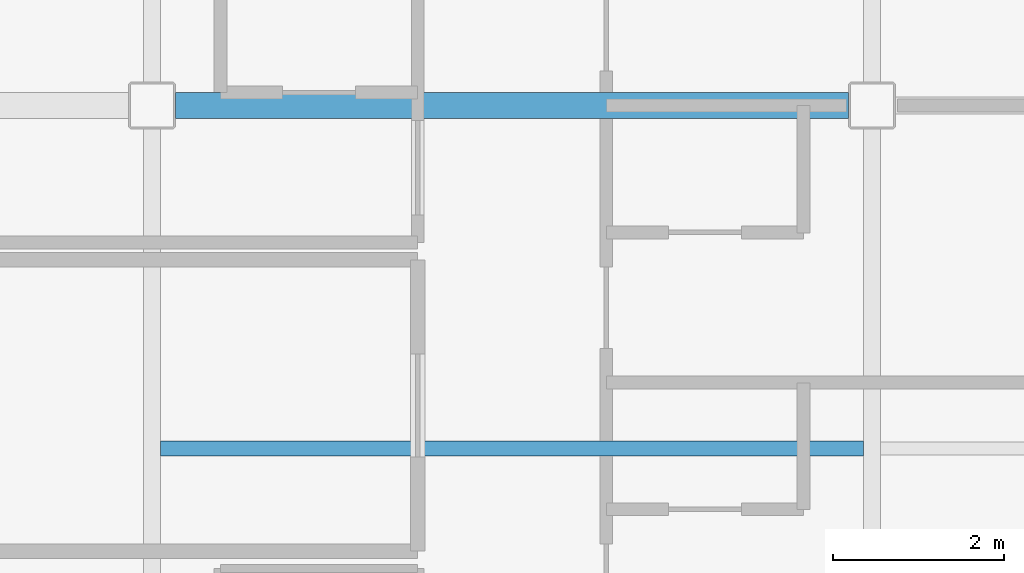
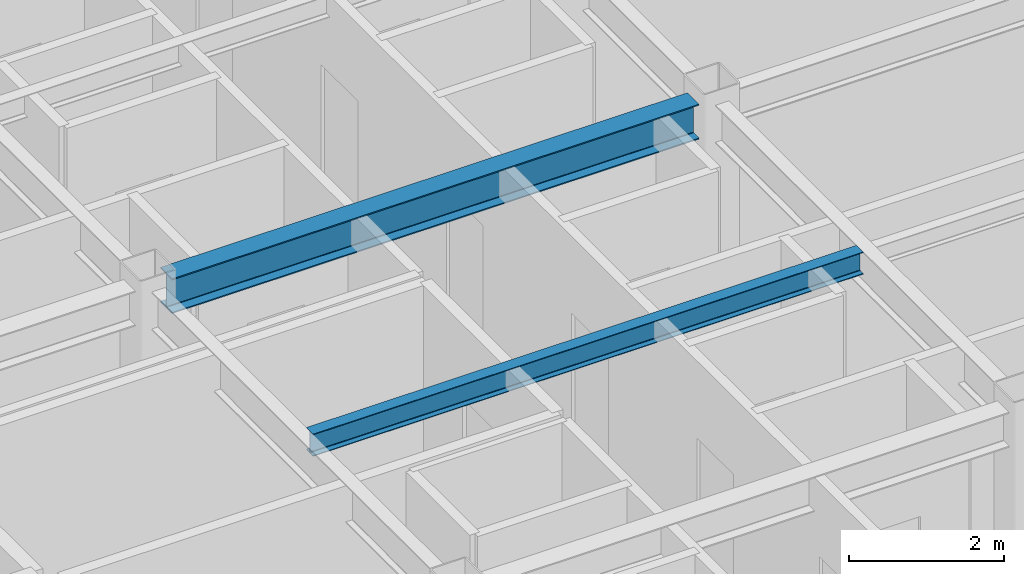
# One storey, part 10 of 36: 2 beams.
"""IFC4 building model written with IfcOpenShell, lengths in metres."""

from ifc_helpers import new_model, si_unit, direction, frame, origin, origin_2d, place, context, subcontext, project, spatial, i_section, extrude, material, material_profile, profile_set, type_object, element, save


model = new_model("IFC4")

# Units and contexts
model_context = context("Model", 3, precision=1e-05, world=origin(), true_north=direction((0.0, 1.0)))
body_context = subcontext(model_context, "Body", "Model", "MODEL_VIEW")
ifc_project = project(units=[si_unit("LENGTHUNIT", "METRE"), si_unit("AREAUNIT", "SQUARE_METRE"), si_unit("VOLUMEUNIT", "CUBIC_METRE"), si_unit("PLANEANGLEUNIT", "RADIAN"), si_unit("MASSUNIT", "GRAM", prefix="KILO")], contexts=[model_context])

# Site, building, storey
site_placement = place(None, origin())
site = spatial("IfcSite", under=ifc_project, at=site_placement, CompositionType="ELEMENT")
building_placement = place(site_placement, origin())
building = spatial("IfcBuilding", under=site, at=building_placement, Name="Kazehara Bluff Congress Hotel", CompositionType="ELEMENT")
storey_placement = place(building_placement, frame((0.0, 0.0, 28.199951171875)))
storey = spatial("IfcBuildingStorey", under=building, at=storey_placement, Name="L06", CompositionType="ELEMENT", Elevation=28.199951171875)

# Beams
ifc_material_1 = material(Name="Steel SN490B", Category="steel")
ifc_material_profile_1 = material_profile(ifc_material_1, i_section(OverallWidth=0.300048828125, OverallDepth=0.550048828125, WebThickness=0.010986328125, FlangeThickness=0.01806640625, FilletRadius=0.012939453125, at=origin_2d()))
ifc_profile_set_1 = profile_set([ifc_material_profile_1], Name="Steel SN490B")
beam_type_1 = type_object("IfcBeamType", Name="TP-G-12", PredefinedType="BEAM", material=ifc_profile_set_1)
beam_1_placement = place(storey_placement, frame((152.375, 32.0, 3.10498046875), z_axis=(1.0, 0.0, 0.0), x_axis=(0.0, 1.0, 0.0)))
element("IfcBeam", 1, at=beam_1_placement, inside=storey, type_object=beam_type_1, Name="L06 girder G-12 57", PredefinedType="BEAM", context=body_context, shape_type="SweptSolid", body=[
    extrude(i_section(OverallWidth=0.300048828125, OverallDepth=0.550048828125, WebThickness=0.010986328125, FlangeThickness=0.01806640625, FilletRadius=0.012939453125, at=origin_2d()), origin(), (0.0, 0.0, 1.0), 7.85009765625),
])
ifc_material_2 = material(Name="Steel SN400B", Category="steel")
ifc_material_profile_2 = material_profile(ifc_material_2, i_section(OverallWidth=0.175048828125, OverallDepth=0.35009765625, WebThickness=0.007080078125, FlangeThickness=0.010986328125, FilletRadius=0.012939453125, at=origin_2d()))
ifc_profile_set_2 = profile_set([ifc_material_profile_2], Name="Steel SN400B")
beam_type_2 = type_object("IfcBeamType", Name="TP-J-02", PredefinedType="JOIST", material=ifc_profile_set_2)
beam_2_placement = place(storey_placement, frame((152.199951171875, 28.0, 3.205078125), z_axis=(1.0, 0.0, 0.0), x_axis=(0.0, 1.0, 0.0)))
element("IfcBeam", 2, at=beam_2_placement, inside=storey, type_object=beam_type_2, Name="L06 secondary joist J-02 12", PredefinedType="JOIST", context=body_context, shape_type="SweptSolid", body=[
    extrude(i_section(OverallWidth=0.175048828125, OverallDepth=0.35009765625, WebThickness=0.007080078125, FlangeThickness=0.010986328125, FilletRadius=0.012939453125, at=origin_2d()), origin(), (0.0, 0.0, 1.0), 8.199951171875),
])

save(model, "model.ifc")
